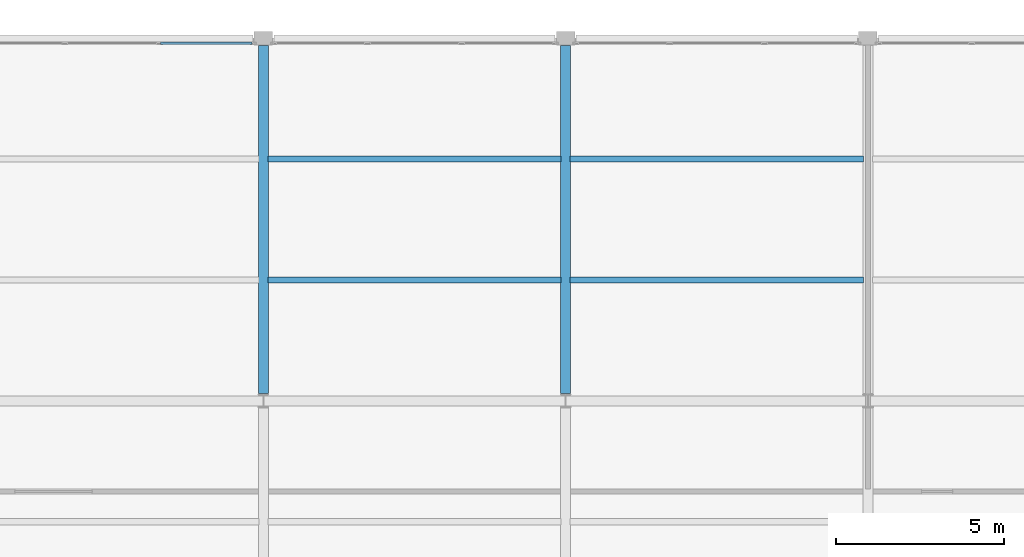
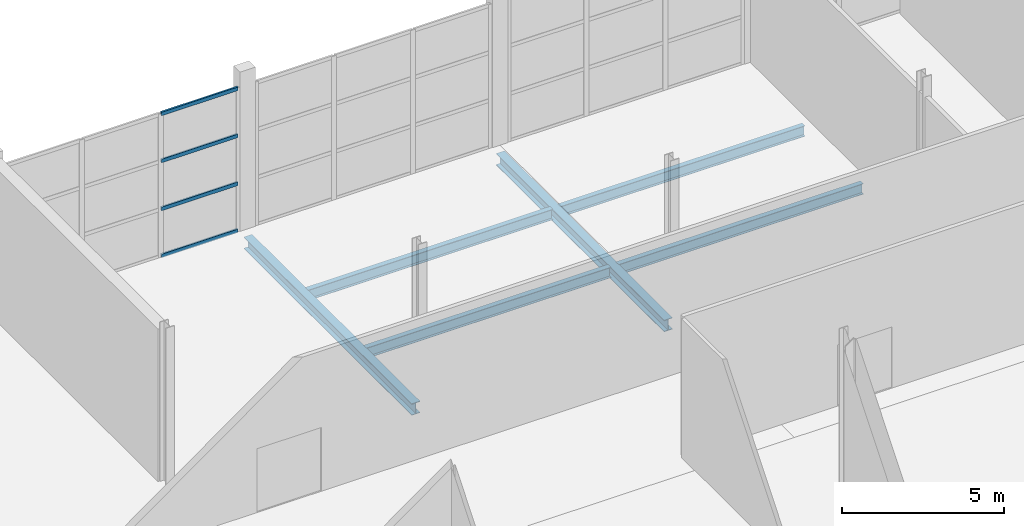
# One storey, part 91 of 191: 6 beams, 4 members, 1 element without a shape of its own.
"""IFC4 building model written with IfcOpenShell, lengths in metres."""

from ifc_helpers import new_model, si_unit, direction, frame, origin, origin_2d, place, context, subcontext, project, spatial, hollow_rectangle, i_section, extrude, material, layer, layer_set, material_profile, profile_set, type_object, element, aggregate, save


model = new_model("IFC4")

# Units and contexts
model_context = context("Model", 3, precision=1e-05, world=origin(), true_north=direction((0.0, 1.0)))
body_context = subcontext(model_context, "Body", "Model", "MODEL_VIEW")
ifc_project = project(units=[si_unit("LENGTHUNIT", "METRE"), si_unit("AREAUNIT", "SQUARE_METRE"), si_unit("VOLUMEUNIT", "CUBIC_METRE"), si_unit("PLANEANGLEUNIT", "RADIAN"), si_unit("MASSUNIT", "GRAM", prefix="KILO")], contexts=[model_context])

# Site, building, storey
site_placement = place(None, origin())
site = spatial("IfcSite", under=ifc_project, at=site_placement, CompositionType="ELEMENT")
building_placement = place(site_placement, origin())
building = spatial("IfcBuilding", under=site, at=building_placement, Name="Tamarisk Ironworks Central Station", CompositionType="ELEMENT")
storey_placement = place(building_placement, frame((0.0, 0.0, 6.60009765625)))
storey = spatial("IfcBuildingStorey", under=building, at=storey_placement, Name="L01", CompositionType="ELEMENT", Elevation=6.60009765625)

# Beams
ifc_material_1 = material(Name="Structural steel S355J2", Category="steel")
ifc_material_profile_1 = material_profile(ifc_material_1, i_section(OverallWidth=0.179931640625, OverallDepth=0.39990234375, WebThickness=0.008544921875, FlangeThickness=0.013427734375, at=origin_2d()), Name="IPE 400")
ifc_profile_set_1 = profile_set([ifc_material_profile_1], Name="Structural steel S355J2")
beam_type_1 = type_object("IfcBeamType", Name="BM-B04", PredefinedType="BEAM", material=ifc_profile_set_1)
for number, where, z_axis, x_axis, name in (
    (1, (18.135009765625, 115.199951171875, -0.4501953125), (1.0, 0.0, 0.0), (0.0, 1.0, 0.0), "L01 secondary composite beam 0058"),
    (2, (18.135009765625, 118.800048828125, -0.4501953125), (1.0, 0.0, 0.0), (0.0, 1.0, 0.0), "L01 secondary composite beam 0059"),
    (3, (27.135009765625, 115.199951171875, -0.4501953125), (1.0, 0.0, 0.0), (0.0, 1.0, 0.0), "L01 secondary composite beam 0064"),
    (4, (27.135009765625, 118.800048828125, -0.4501953125), (1.0, 0.0, 0.0), (0.0, 1.0, 0.0), "L01 secondary composite beam 0065"),
):
    element("IfcBeam", number, at=place(storey_placement, frame(where, z_axis=z_axis, x_axis=x_axis)), inside=storey, type_object=beam_type_1, Name=name, PredefinedType="BEAM", context=body_context, shape_type="SweptSolid", body=[
        extrude(i_section(OverallWidth=0.179931640625, OverallDepth=0.39990234375, WebThickness=0.008544921875, FlangeThickness=0.013427734375, at=origin_2d()), origin(), (0.0, 0.0, 1.0), 8.72998046875),
    ])
ifc_material_profile_2 = material_profile(ifc_material_1, i_section(OverallWidth=0.300048828125, OverallDepth=0.43994140625, WebThickness=0.011474609375, FlangeThickness=0.02099609375, at=origin_2d()), Name="HEA 450")
ifc_profile_set_2 = profile_set([ifc_material_profile_2], Name="Structural steel S355J2")
beam_type_2 = type_object("IfcBeamType", Name="BM-G06", PredefinedType="BEAM", material=ifc_profile_set_2)
for number, where, z_axis, x_axis, name in (
    (5, (18.0, 111.81298828125, -0.47021484375), (0.0, 1.0, 0.0), (-1.0, 0.0, 0.0), "L01 primary girder Y-0178"),
    (6, (27.0, 111.81298828125, -0.47021484375), (0.0, 1.0, 0.0), (-1.0, 0.0, 0.0), "L01 primary girder Y-0186"),
):
    element("IfcBeam", number, at=place(storey_placement, frame(where, z_axis=z_axis, x_axis=x_axis)), inside=storey, type_object=beam_type_2, Name=name, PredefinedType="BEAM", context=body_context, shape_type="SweptSolid", body=[
        extrude(i_section(OverallWidth=0.300048828125, OverallDepth=0.43994140625, WebThickness=0.011474609375, FlangeThickness=0.02099609375, at=origin_2d()), origin(), (0.0, 0.0, 1.0), 10.3740234375),
    ])

# Curtain wall, members
ifc_material_2 = material(Name="Anodized aluminium alloy 6063-T6", Category="aluminium")
ifc_layer = layer(ifc_material_2, 0.179931640625)
ifc_layer_set = layer_set([ifc_layer], Name="Anodized aluminium alloy 6063-T6")
curtain_wall_type = type_object("IfcCurtainWallType", Name="CW-13", PredefinedType="USERDEFINED", material=ifc_layer_set)
curtain_wall_placement = place(storey_placement, origin())
curtain_wall = element("IfcCurtainWall", 7, at=curtain_wall_placement, inside=storey, type_object=curtain_wall_type, Name="Pavilion L01 N glazed arcade 09", ObjectType="GLAZED CURTAIN WALL", PredefinedType="USERDEFINED")
ifc_material_profile_3 = material_profile(ifc_material_2, hollow_rectangle(XDim=0.06494140625, YDim=0.135009765625, WallThickness=0.00341796875, at=origin_2d()), Name="ALUM 135x65")
ifc_profile_set_3 = profile_set([ifc_material_profile_3], Name="Anodized aluminium alloy 6063-T6")
member_type = type_object("IfcMemberType", Name="CWT-02", PredefinedType="USERDEFINED", material=ifc_profile_set_3)
member_1_placement = place(storey_placement, frame((14.9375, 122.25, 0.032470703125), z_axis=(1.0, 0.0, 0.0), x_axis=(0.0, 1.0, 0.0)))
member_1 = element("IfcMember", 8, at=member_1_placement, type_object=member_type, Name="CW13 transom 3.1", ObjectType="TRANSOM", PredefinedType="USERDEFINED", context=body_context, shape_type="SweptSolid", body=[
    extrude(hollow_rectangle(XDim=0.06494140625, YDim=0.135009765625, WallThickness=0.00341796875, at=origin_2d()), origin(), (0.0, 0.0, 1.0), 2.728515625),
])
member_2_placement = place(storey_placement, frame((14.9375, 122.25, 1.806640625), z_axis=(1.0, 0.0, 0.0), x_axis=(0.0, 1.0, 0.0)))
member_2 = element("IfcMember", 9, at=member_2_placement, type_object=member_type, Name="CW13 transom 3.2", ObjectType="TRANSOM", PredefinedType="USERDEFINED", context=body_context, shape_type="SweptSolid", body=[
    extrude(hollow_rectangle(XDim=0.06494140625, YDim=0.135009765625, WallThickness=0.00341796875, at=origin_2d()), origin(), (0.0, 0.0, 1.0), 2.728515625),
])
member_3_placement = place(storey_placement, frame((14.9375, 122.25, 3.61328125), z_axis=(1.0, 0.0, 0.0), x_axis=(0.0, 1.0, 0.0)))
member_3 = element("IfcMember", 10, at=member_3_placement, type_object=member_type, Name="CW13 transom 3.3", ObjectType="TRANSOM", PredefinedType="USERDEFINED", context=body_context, shape_type="SweptSolid", body=[
    extrude(hollow_rectangle(XDim=0.06494140625, YDim=0.135009765625, WallThickness=0.00341796875, at=origin_2d()), origin(), (0.0, 0.0, 1.0), 2.728515625),
])
member_4_placement = place(storey_placement, frame((14.9375, 122.25, 5.387451171875), z_axis=(1.0, 0.0, 0.0), x_axis=(0.0, 1.0, 0.0)))
member_4 = element("IfcMember", 11, at=member_4_placement, type_object=member_type, Name="CW13 transom 3.4", ObjectType="TRANSOM", PredefinedType="USERDEFINED", context=body_context, shape_type="SweptSolid", body=[
    extrude(hollow_rectangle(XDim=0.06494140625, YDim=0.135009765625, WallThickness=0.00341796875, at=origin_2d()), origin(), (0.0, 0.0, 1.0), 2.728515625),
])
aggregate(curtain_wall, [member_1, member_2, member_3, member_4])

save(model, "model.ifc")
